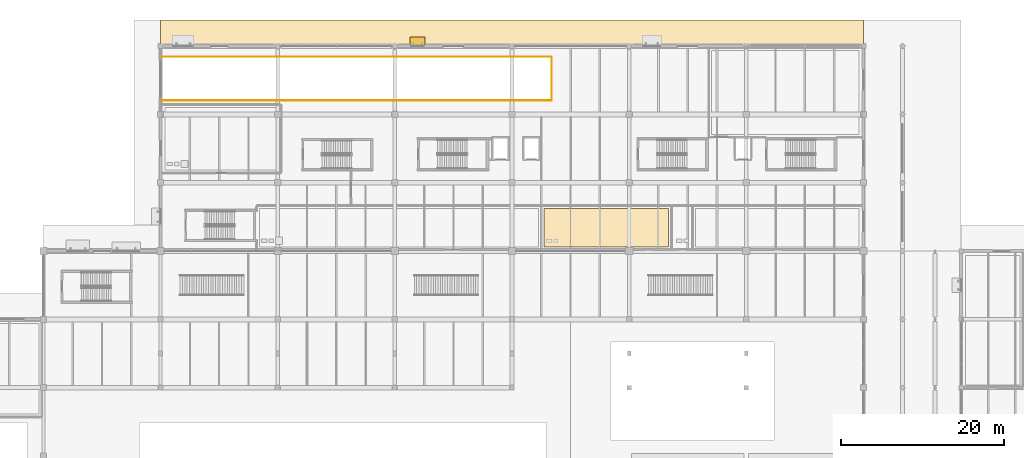
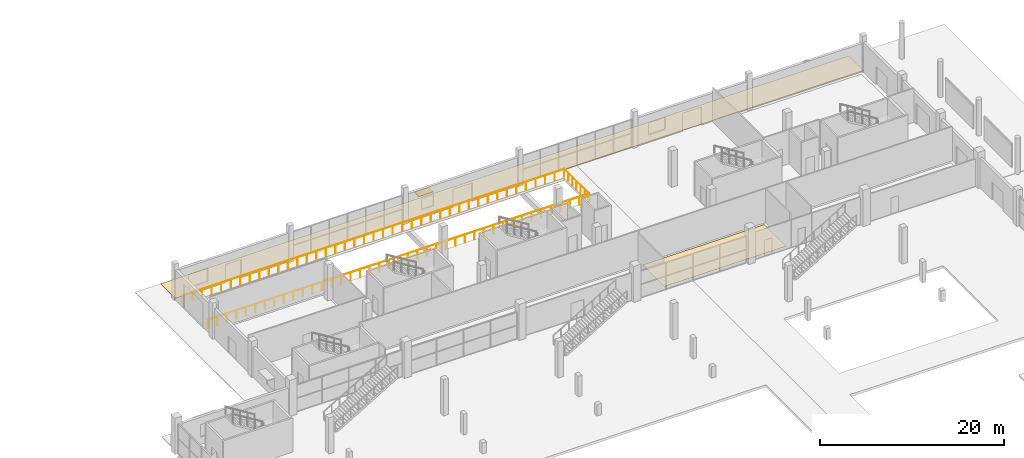
# One storey, part 122 of 130: 2 coverings, 2 railings, 1 shading device.
"""IFC4 building model written with IfcOpenShell, lengths in metres."""

from ifc_helpers import new_model, si_unit, direction, frame, origin, origin_2d, place, context, subcontext, project, spatial, polyline, rectangle, circle, outline, extrude, material, layer, layer_set, type_object, element, save


model = new_model("IFC4")

# Units and contexts
model_context = context("Model", 3, precision=1e-05, world=origin(), true_north=direction((0.0, 1.0)))
body_context = subcontext(model_context, "Body", "Model", "MODEL_VIEW")
ifc_project = project(units=[si_unit("LENGTHUNIT", "METRE"), si_unit("AREAUNIT", "SQUARE_METRE"), si_unit("VOLUMEUNIT", "CUBIC_METRE"), si_unit("PLANEANGLEUNIT", "RADIAN"), si_unit("MASSUNIT", "GRAM", prefix="KILO"), si_unit("THERMODYNAMICTEMPERATUREUNIT", "KELVIN")], contexts=[model_context])

# Site, building, storey
site_placement = place(None, origin())
site = spatial("IfcSite", under=ifc_project, at=site_placement, CompositionType="ELEMENT")
building_placement = place(site_placement, origin())
building = spatial("IfcBuilding", under=site, at=building_placement, Name="Nduvali Passage Aquatics Centre", CompositionType="ELEMENT")
storey_placement = place(building_placement, origin())
storey = spatial("IfcBuildingStorey", under=building, at=storey_placement, Name="L00", CompositionType="ELEMENT", Elevation=0.0)

# Shading device
ifc_material_1 = material(Name="Aluminium EN AW-6063 T6", Category="aluminium")
ifc_layer_1 = layer(ifc_material_1, 0.080078125, Name="Aluminium EN AW-6063 T6")
ifc_layer_set_1 = layer_set([ifc_layer_1], Name="Aluminium EN AW-6063 T6")
shading_device_type = type_object("IfcShadingDeviceType", Name="ENV-SHD-SUN2", PredefinedType="AWNING", material=ifc_layer_set_1)
shading_device_placement = place(storey_placement, frame((71.18408203125, 118.22509765625, 2.60986328125), z_axis=(0.0, 0.0, 1.0), x_axis=(-1.0, 0.0, 0.0)))
element("IfcShadingDevice", 1, at=shading_device_placement, inside=storey, type_object=shading_device_type, Name="L00 Horizontal Monsoon Sunshade 0092", PredefinedType="AWNING", context=body_context, shape_type="SweptSolid", body=[
    extrude(rectangle(XDim=1.800048828125, YDim=0.949951171875, at=origin_2d()), origin(), (0.0, 0.0, 1.0), 0.080078125),
])

# Covering
ifc_material_2 = material(Name="Anti-slip ceramic pool deck tile")
ifc_layer_2 = layer(ifc_material_2, 0.02490234375, Name="Anti-slip ceramic pool deck tile")
ifc_layer_set_2 = layer_set([ifc_layer_2], Name="Anti-slip ceramic pool deck tile")
covering_type_1 = type_object("IfcCoveringType", Name="INT-COV-TILE", PredefinedType="FLOORING", material=ifc_layer_set_2)
covering_1_placement = place(storey_placement, origin())
element("IfcCovering", 2, at=covering_1_placement, inside=storey, type_object=covering_type_1, Name="L00 North Wing Public Toilets Floor Finish", PredefinedType="FLOORING", context=body_context, shape_type="SweptSolid", body=[
    extrude(outline(polyline([(86.75, 92.909912109375), (102.050048828125, 92.909912109375), (102.050048828125, 97.64990234375), (86.75, 97.64990234375), (86.75, 92.909912109375)])), origin(), (0.0, 0.0, 1.0), 0.02490234375),
])

# Railings
ifc_material_3 = material(Name="Stainless steel balustrade", Category="steel")
railing_type = type_object("IfcRailingType", Name="INT-RLG-GRD112", PredefinedType="GUARDRAIL", material=ifc_material_3)
railing_1_placement = place(storey_placement, frame((39.830078125, 110.919921875, 0.0)))
element("IfcRailing", 3, at=railing_1_placement, inside=storey, type_object=railing_type, Name="L00 Vehicle Ramp Well South and East Guardrail", PredefinedType="GUARDRAIL", context=body_context, shape_type="SweptSolid", body=[
    extrude(circle(Radius=0.02392578125, at=origin_2d()), frame((0.0, 0.0, 1.1259765625), z_axis=(1.0, 0.0, 0.0), x_axis=(0.0, 1.0, 0.0)), (0.0, 0.0, 1.0), 47.849853515625),
    extrude(circle(Radius=0.02392578125, at=origin_2d()), frame((47.849853515625, 0.0, 1.1259765625), z_axis=(0.0, 1.0, 0.0), x_axis=(-1.0, 0.0, 0.0)), (0.0, 0.0, 1.0), 2.68017578125),
    extrude(circle(Radius=0.02099609375, at=origin_2d()), origin(), (0.0, 0.0, 1.0), 1.101806640625),
    extrude(circle(Radius=0.02099609375, at=origin_2d()), frame((1.1962890625, 0.0, 0.0)), (0.0, 0.0, 1.0), 1.101806640625),
    extrude(circle(Radius=0.02099609375, at=origin_2d()), frame((2.392578125, 0.0, 0.0)), (0.0, 0.0, 1.0), 1.101806640625),
    extrude(circle(Radius=0.02099609375, at=origin_2d()), frame((3.588623046875, 0.0, 0.0)), (0.0, 0.0, 1.0), 1.101806640625),
    extrude(circle(Radius=0.02099609375, at=origin_2d()), frame((4.784912109375, 0.0, 0.0)), (0.0, 0.0, 1.0), 1.101806640625),
    extrude(circle(Radius=0.02099609375, at=origin_2d()), frame((5.981201171875, 0.0, 0.0)), (0.0, 0.0, 1.0), 1.101806640625),
    extrude(circle(Radius=0.02099609375, at=origin_2d()), frame((7.177490234375, 0.0, 0.0)), (0.0, 0.0, 1.0), 1.101806640625),
    extrude(circle(Radius=0.02099609375, at=origin_2d()), frame((8.373779296875, 0.0, 0.0)), (0.0, 0.0, 1.0), 1.101806640625),
    extrude(circle(Radius=0.02099609375, at=origin_2d()), frame((9.570068359375, 0.0, 0.0)), (0.0, 0.0, 1.0), 1.101806640625),
    extrude(circle(Radius=0.02099609375, at=origin_2d()), frame((10.76611328125, 0.0, 0.0)), (0.0, 0.0, 1.0), 1.101806640625),
    extrude(circle(Radius=0.02099609375, at=origin_2d()), frame((11.96240234375, 0.0, 0.0)), (0.0, 0.0, 1.0), 1.101806640625),
    extrude(circle(Radius=0.02099609375, at=origin_2d()), frame((13.15869140625, 0.0, 0.0)), (0.0, 0.0, 1.0), 1.101806640625),
    extrude(circle(Radius=0.02099609375, at=origin_2d()), frame((14.35498046875, 0.0, 0.0)), (0.0, 0.0, 1.0), 1.101806640625),
    extrude(circle(Radius=0.02099609375, at=origin_2d()), frame((15.55126953125, 0.0, 0.0)), (0.0, 0.0, 1.0), 1.101806640625),
    extrude(circle(Radius=0.02099609375, at=origin_2d()), frame((16.74755859375, 0.0, 0.0)), (0.0, 0.0, 1.0), 1.101806640625),
    extrude(circle(Radius=0.02099609375, at=origin_2d()), frame((17.943603515625, 0.0, 0.0)), (0.0, 0.0, 1.0), 1.101806640625),
    extrude(circle(Radius=0.02099609375, at=origin_2d()), frame((19.139892578125, 0.0, 0.0)), (0.0, 0.0, 1.0), 1.101806640625),
    extrude(circle(Radius=0.02099609375, at=origin_2d()), frame((20.336181640625, 0.0, 0.0)), (0.0, 0.0, 1.0), 1.101806640625),
    extrude(circle(Radius=0.02099609375, at=origin_2d()), frame((21.532470703125, 0.0, 0.0)), (0.0, 0.0, 1.0), 1.101806640625),
    extrude(circle(Radius=0.02099609375, at=origin_2d()), frame((22.728759765625, 0.0, 0.0)), (0.0, 0.0, 1.0), 1.101806640625),
    extrude(circle(Radius=0.02099609375, at=origin_2d()), frame((23.9248046875, 0.0, 0.0)), (0.0, 0.0, 1.0), 1.101806640625),
    extrude(circle(Radius=0.02099609375, at=origin_2d()), frame((25.12109375, 0.0, 0.0)), (0.0, 0.0, 1.0), 1.101806640625),
    extrude(circle(Radius=0.02099609375, at=origin_2d()), frame((26.3173828125, 0.0, 0.0)), (0.0, 0.0, 1.0), 1.101806640625),
    extrude(circle(Radius=0.02099609375, at=origin_2d()), frame((27.513671875, 0.0, 0.0)), (0.0, 0.0, 1.0), 1.101806640625),
    extrude(circle(Radius=0.02099609375, at=origin_2d()), frame((28.7099609375, 0.0, 0.0)), (0.0, 0.0, 1.0), 1.101806640625),
    extrude(circle(Radius=0.02099609375, at=origin_2d()), frame((29.90625, 0.0, 0.0)), (0.0, 0.0, 1.0), 1.101806640625),
    extrude(circle(Radius=0.02099609375, at=origin_2d()), frame((31.102294921875, 0.0, 0.0)), (0.0, 0.0, 1.0), 1.101806640625),
    extrude(circle(Radius=0.02099609375, at=origin_2d()), frame((32.298583984375, 0.0, 0.0)), (0.0, 0.0, 1.0), 1.101806640625),
    extrude(circle(Radius=0.02099609375, at=origin_2d()), frame((33.494873046875, 0.0, 0.0)), (0.0, 0.0, 1.0), 1.101806640625),
    extrude(circle(Radius=0.02099609375, at=origin_2d()), frame((34.691162109375, 0.0, 0.0)), (0.0, 0.0, 1.0), 1.101806640625),
    extrude(circle(Radius=0.02099609375, at=origin_2d()), frame((35.887451171875, 0.0, 0.0)), (0.0, 0.0, 1.0), 1.101806640625),
    extrude(circle(Radius=0.02099609375, at=origin_2d()), frame((37.083740234375, 0.0, 0.0)), (0.0, 0.0, 1.0), 1.101806640625),
    extrude(circle(Radius=0.02099609375, at=origin_2d()), frame((38.27978515625, 0.0, 0.0)), (0.0, 0.0, 1.0), 1.101806640625),
    extrude(circle(Radius=0.02099609375, at=origin_2d()), frame((39.47607421875, 0.0, 0.0)), (0.0, 0.0, 1.0), 1.101806640625),
    extrude(circle(Radius=0.02099609375, at=origin_2d()), frame((40.67236328125, 0.0, 0.0)), (0.0, 0.0, 1.0), 1.101806640625),
    extrude(circle(Radius=0.02099609375, at=origin_2d()), frame((41.86865234375, 0.0, 0.0)), (0.0, 0.0, 1.0), 1.101806640625),
    extrude(circle(Radius=0.02099609375, at=origin_2d()), frame((43.06494140625, 0.0, 0.0)), (0.0, 0.0, 1.0), 1.101806640625),
    extrude(circle(Radius=0.02099609375, at=origin_2d()), frame((44.26123046875, 0.0, 0.0)), (0.0, 0.0, 1.0), 1.101806640625),
    extrude(circle(Radius=0.02099609375, at=origin_2d()), frame((45.457275390625, 0.0, 0.0)), (0.0, 0.0, 1.0), 1.101806640625),
    extrude(circle(Radius=0.02099609375, at=origin_2d()), frame((46.653564453125, 0.0, 0.0)), (0.0, 0.0, 1.0), 1.101806640625),
    extrude(circle(Radius=0.02099609375, at=origin_2d()), frame((47.849853515625, 0.0, 0.0)), (0.0, 0.0, 1.0), 1.101806640625),
    extrude(circle(Radius=0.02099609375, at=origin_2d()), frame((47.849853515625, 0.893310546875, 0.0)), (0.0, 0.0, 1.0), 1.101806640625),
    extrude(circle(Radius=0.02099609375, at=origin_2d()), frame((47.849853515625, 1.786865234375, 0.0)), (0.0, 0.0, 1.0), 1.101806640625),
    extrude(circle(Radius=0.02099609375, at=origin_2d()), frame((47.849853515625, 2.68017578125, 0.0)), (0.0, 0.0, 1.0), 1.101806640625),
])
railing_2_placement = place(storey_placement, frame((87.679931640625, 113.60009765625, 0.0)))
element("IfcRailing", 4, at=railing_2_placement, inside=storey, type_object=railing_type, Name="L00 Vehicle Ramp Well North and East Guardrail", PredefinedType="GUARDRAIL", context=body_context, shape_type="SweptSolid", body=[
    extrude(circle(Radius=0.02392578125, at=origin_2d()), frame((0.0, 0.0, 1.1259765625), z_axis=(0.0, 1.0, 0.0), x_axis=(-1.0, 0.0, 0.0)), (0.0, 0.0, 1.0), 2.679931640625),
    extrude(circle(Radius=0.02392578125, at=origin_2d()), frame((0.0, 2.679931640625, 1.1259765625), z_axis=(-1.0, 0.0, 0.0), x_axis=(0.0, -1.0, 0.0)), (0.0, 0.0, 1.0), 47.849853515625),
    extrude(circle(Radius=0.02099609375, at=origin_2d()), origin(), (0.0, 0.0, 1.0), 1.101806640625),
    extrude(circle(Radius=0.02099609375, at=origin_2d()), frame((0.0, 0.893310546875, 0.0)), (0.0, 0.0, 1.0), 1.101806640625),
    extrude(circle(Radius=0.02099609375, at=origin_2d()), frame((0.0, 1.78662109375, 0.0)), (0.0, 0.0, 1.0), 1.101806640625),
    extrude(circle(Radius=0.02099609375, at=origin_2d()), frame((0.0, 2.679931640625, 0.0)), (0.0, 0.0, 1.0), 1.101806640625),
    extrude(circle(Radius=0.02099609375, at=origin_2d()), frame((-1.1962890625, 2.679931640625, 0.0)), (0.0, 0.0, 1.0), 1.101806640625),
    extrude(circle(Radius=0.02099609375, at=origin_2d()), frame((-2.392578125, 2.679931640625, 0.0)), (0.0, 0.0, 1.0), 1.101806640625),
    extrude(circle(Radius=0.02099609375, at=origin_2d()), frame((-3.588623046875, 2.679931640625, 0.0)), (0.0, 0.0, 1.0), 1.101806640625),
    extrude(circle(Radius=0.02099609375, at=origin_2d()), frame((-4.784912109375, 2.679931640625, 0.0)), (0.0, 0.0, 1.0), 1.101806640625),
    extrude(circle(Radius=0.02099609375, at=origin_2d()), frame((-5.981201171875, 2.679931640625, 0.0)), (0.0, 0.0, 1.0), 1.101806640625),
    extrude(circle(Radius=0.02099609375, at=origin_2d()), frame((-7.177490234375, 2.679931640625, 0.0)), (0.0, 0.0, 1.0), 1.101806640625),
    extrude(circle(Radius=0.02099609375, at=origin_2d()), frame((-8.373779296875, 2.679931640625, 0.0)), (0.0, 0.0, 1.0), 1.101806640625),
    extrude(circle(Radius=0.02099609375, at=origin_2d()), frame((-9.570068359375, 2.679931640625, 0.0)), (0.0, 0.0, 1.0), 1.101806640625),
    extrude(circle(Radius=0.02099609375, at=origin_2d()), frame((-10.76611328125, 2.679931640625, 0.0)), (0.0, 0.0, 1.0), 1.101806640625),
    extrude(circle(Radius=0.02099609375, at=origin_2d()), frame((-11.96240234375, 2.679931640625, 0.0)), (0.0, 0.0, 1.0), 1.101806640625),
    extrude(circle(Radius=0.02099609375, at=origin_2d()), frame((-13.15869140625, 2.679931640625, 0.0)), (0.0, 0.0, 1.0), 1.101806640625),
    extrude(circle(Radius=0.02099609375, at=origin_2d()), frame((-14.35498046875, 2.679931640625, 0.0)), (0.0, 0.0, 1.0), 1.101806640625),
    extrude(circle(Radius=0.02099609375, at=origin_2d()), frame((-15.55126953125, 2.679931640625, 0.0)), (0.0, 0.0, 1.0), 1.101806640625),
    extrude(circle(Radius=0.02099609375, at=origin_2d()), frame((-16.74755859375, 2.679931640625, 0.0)), (0.0, 0.0, 1.0), 1.101806640625),
    extrude(circle(Radius=0.02099609375, at=origin_2d()), frame((-17.943603515625, 2.679931640625, 0.0)), (0.0, 0.0, 1.0), 1.101806640625),
    extrude(circle(Radius=0.02099609375, at=origin_2d()), frame((-19.139892578125, 2.679931640625, 0.0)), (0.0, 0.0, 1.0), 1.101806640625),
    extrude(circle(Radius=0.02099609375, at=origin_2d()), frame((-20.336181640625, 2.679931640625, 0.0)), (0.0, 0.0, 1.0), 1.101806640625),
    extrude(circle(Radius=0.02099609375, at=origin_2d()), frame((-21.532470703125, 2.679931640625, 0.0)), (0.0, 0.0, 1.0), 1.101806640625),
    extrude(circle(Radius=0.02099609375, at=origin_2d()), frame((-22.728759765625, 2.679931640625, 0.0)), (0.0, 0.0, 1.0), 1.101806640625),
    extrude(circle(Radius=0.02099609375, at=origin_2d()), frame((-23.9248046875, 2.679931640625, 0.0)), (0.0, 0.0, 1.0), 1.101806640625),
    extrude(circle(Radius=0.02099609375, at=origin_2d()), frame((-25.12109375, 2.679931640625, 0.0)), (0.0, 0.0, 1.0), 1.101806640625),
    extrude(circle(Radius=0.02099609375, at=origin_2d()), frame((-26.3173828125, 2.679931640625, 0.0)), (0.0, 0.0, 1.0), 1.101806640625),
    extrude(circle(Radius=0.02099609375, at=origin_2d()), frame((-27.513671875, 2.679931640625, 0.0)), (0.0, 0.0, 1.0), 1.101806640625),
    extrude(circle(Radius=0.02099609375, at=origin_2d()), frame((-28.7099609375, 2.679931640625, 0.0)), (0.0, 0.0, 1.0), 1.101806640625),
    extrude(circle(Radius=0.02099609375, at=origin_2d()), frame((-29.90625, 2.679931640625, 0.0)), (0.0, 0.0, 1.0), 1.101806640625),
    extrude(circle(Radius=0.02099609375, at=origin_2d()), frame((-31.102294921875, 2.679931640625, 0.0)), (0.0, 0.0, 1.0), 1.101806640625),
    extrude(circle(Radius=0.02099609375, at=origin_2d()), frame((-32.298583984375, 2.679931640625, 0.0)), (0.0, 0.0, 1.0), 1.101806640625),
    extrude(circle(Radius=0.02099609375, at=origin_2d()), frame((-33.494873046875, 2.679931640625, 0.0)), (0.0, 0.0, 1.0), 1.101806640625),
    extrude(circle(Radius=0.02099609375, at=origin_2d()), frame((-34.691162109375, 2.679931640625, 0.0)), (0.0, 0.0, 1.0), 1.101806640625),
    extrude(circle(Radius=0.02099609375, at=origin_2d()), frame((-35.887451171875, 2.679931640625, 0.0)), (0.0, 0.0, 1.0), 1.101806640625),
    extrude(circle(Radius=0.02099609375, at=origin_2d()), frame((-37.083740234375, 2.679931640625, 0.0)), (0.0, 0.0, 1.0), 1.101806640625),
    extrude(circle(Radius=0.02099609375, at=origin_2d()), frame((-38.27978515625, 2.679931640625, 0.0)), (0.0, 0.0, 1.0), 1.101806640625),
    extrude(circle(Radius=0.02099609375, at=origin_2d()), frame((-39.47607421875, 2.679931640625, 0.0)), (0.0, 0.0, 1.0), 1.101806640625),
    extrude(circle(Radius=0.02099609375, at=origin_2d()), frame((-40.67236328125, 2.679931640625, 0.0)), (0.0, 0.0, 1.0), 1.101806640625),
    extrude(circle(Radius=0.02099609375, at=origin_2d()), frame((-41.86865234375, 2.679931640625, 0.0)), (0.0, 0.0, 1.0), 1.101806640625),
    extrude(circle(Radius=0.02099609375, at=origin_2d()), frame((-43.06494140625, 2.679931640625, 0.0)), (0.0, 0.0, 1.0), 1.101806640625),
    extrude(circle(Radius=0.02099609375, at=origin_2d()), frame((-44.26123046875, 2.679931640625, 0.0)), (0.0, 0.0, 1.0), 1.101806640625),
    extrude(circle(Radius=0.02099609375, at=origin_2d()), frame((-45.457275390625, 2.679931640625, 0.0)), (0.0, 0.0, 1.0), 1.101806640625),
    extrude(circle(Radius=0.02099609375, at=origin_2d()), frame((-46.653564453125, 2.679931640625, 0.0)), (0.0, 0.0, 1.0), 1.101806640625),
    extrude(circle(Radius=0.02099609375, at=origin_2d()), frame((-47.849853515625, 2.679931640625, 0.0)), (0.0, 0.0, 1.0), 1.101806640625),
])

# Covering
ifc_material_4 = material(Name="Coral-stone masonry blockwork", Category="masonry")
ifc_layer_3 = layer(ifc_material_4, 0.080078125, Name="Coral-stone masonry blockwork")
ifc_layer_set_3 = layer_set([ifc_layer_3], Name="Coral-stone masonry blockwork")
covering_type_2 = type_object("IfcCoveringType", Name="STR-COV-PAV80", PredefinedType="USERDEFINED", material=ifc_layer_set_3)
covering_2_placement = place(storey_placement, frame((0.0, 0.0, -0.080078125)))
element("IfcCovering", 5, at=covering_2_placement, inside=storey, type_object=covering_type_2, Name="L00 North Avenue Main Promenade Paving", ObjectType="PAVING", PredefinedType="USERDEFINED", context=body_context, shape_type="SweptSolid", body=[
    extrude(outline(polyline([(39.60009765625, 117.60009765625), (126.0, 117.60009765625), (126.0, 120.800048828125), (39.60009765625, 120.800048828125), (39.60009765625, 117.60009765625)])), origin(), (0.0, 0.0, 1.0), 0.080078125),
])

save(model, "model.ifc")
